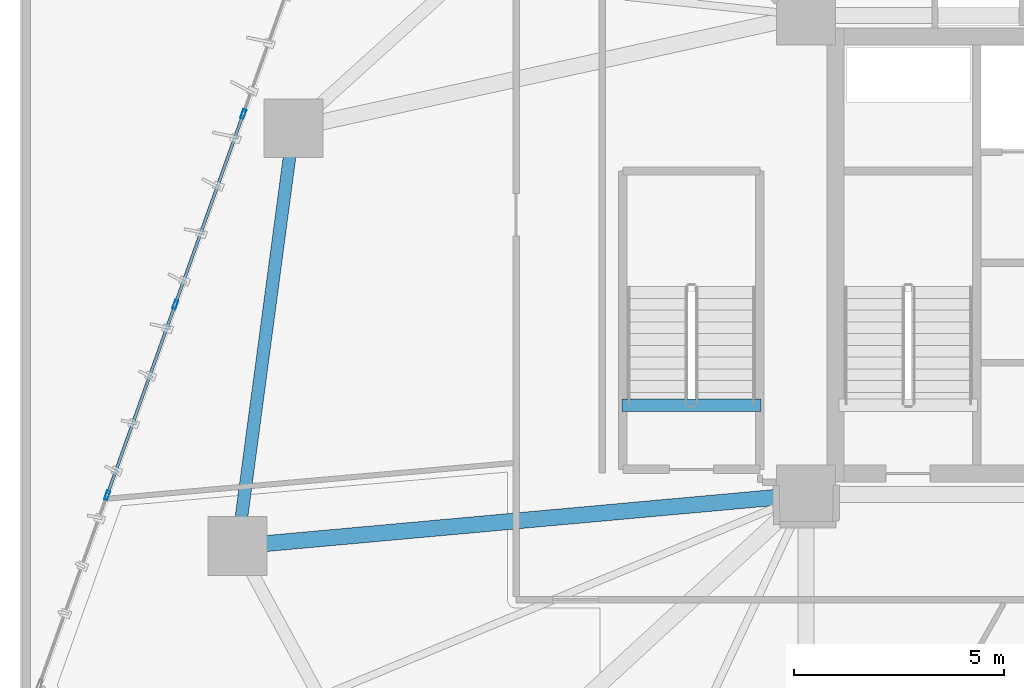
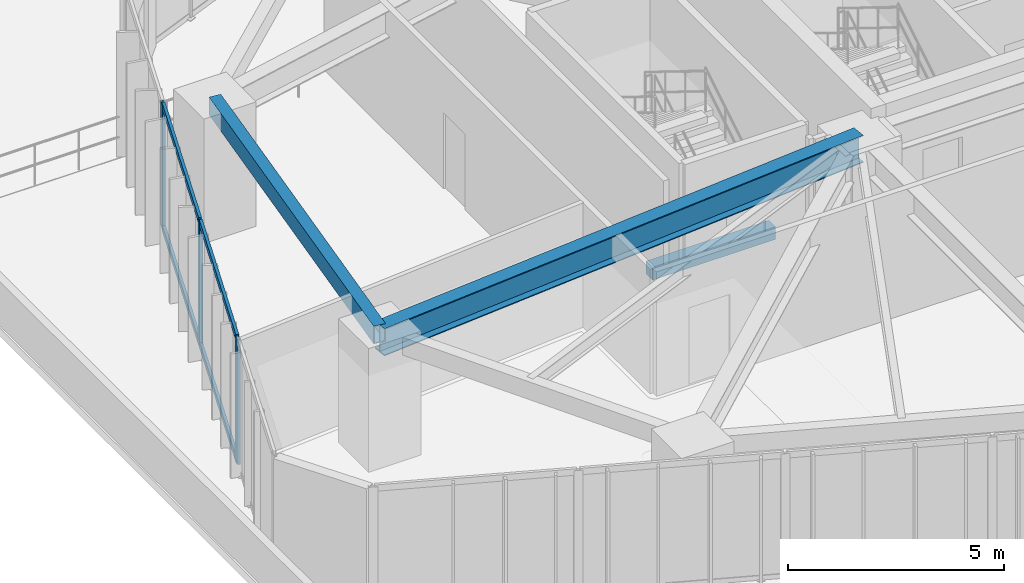
# One storey, part 6 of 23: 7 members, 3 beams, 1 element without a shape of its own.
"""IFC4 building model written with IfcOpenShell, lengths in metres."""

from ifc_helpers import new_model, si_unit, direction, frame, origin, origin_2d, place, context, subcontext, project, spatial, rectangle, hollow_rectangle, i_section, extrude, source, transform, mapped, material, layer, layer_set, material_profile, profile_set, type_object, type_shapes, element, aggregate, save


model = new_model("IFC4")

# Units and contexts
model_context = context("Model", 3, precision=1e-05, world=origin(), true_north=direction((0.0, 1.0)))
body_context = subcontext(model_context, "Body", "Model", "MODEL_VIEW")
ifc_project = project(units=[si_unit("LENGTHUNIT", "METRE"), si_unit("AREAUNIT", "SQUARE_METRE"), si_unit("VOLUMEUNIT", "CUBIC_METRE"), si_unit("PLANEANGLEUNIT", "RADIAN"), si_unit("MASSUNIT", "GRAM", prefix="KILO")], contexts=[model_context])

# Site, building, storey
site_placement = place(None, origin())
site = spatial("IfcSite", under=ifc_project, at=site_placement, CompositionType="ELEMENT")
building_placement = place(site_placement, origin())
building = spatial("IfcBuilding", under=site, at=building_placement, Name="Talar Marvaseh", CompositionType="ELEMENT")
storey_placement = place(building_placement, frame((0.0, 0.0, 24.0)))
storey = spatial("IfcBuildingStorey", under=building, at=storey_placement, Name="L05", CompositionType="ELEMENT", Elevation=24.0)

# Beams
ifc_material_1 = material(Name="Concrete C40/50", Category="concrete")
ifc_material_profile_1 = material_profile(ifc_material_1, rectangle(XDim=0.300048828125, YDim=0.360107421875, at=origin_2d()), Name="RC300x360")
ifc_profile_set_1 = profile_set([ifc_material_profile_1], Name="Concrete C40/50")
beam_type_1 = type_object("IfcBeamType", Name="Concrete Stair Landing Trimmer Beam RC300x360", PredefinedType="SPANDREL", material=ifc_profile_set_1)
beam_1_placement = place(storey_placement, frame((17.6201171875, 27.6298828125, -0.179931640625), z_axis=(-1.0, 0.0, 0.0), x_axis=(0.0, -1.0, 0.0)))
element("IfcBeam", 1, at=beam_1_placement, inside=storey, type_object=beam_type_1, Name="L05 ST-3 Stair Nosing Trimmer Beam", PredefinedType="SPANDREL", context=body_context, shape_type="SweptSolid", body=[
    extrude(rectangle(XDim=0.300048828125, YDim=0.360107421875, at=origin_2d()), origin(), (0.0, 0.0, 1.0), 3.300048828125),
])
ifc_material_2 = material(Name="Steel S355", Category="steel")
ifc_material_profile_2 = material_profile(ifc_material_2, hollow_rectangle(XDim=0.300048828125, YDim=0.5, WallThickness=0.02001953125, at=origin_2d()), Name="RHS500x300x20")
ifc_profile_set_2 = profile_set([ifc_material_profile_2], Name="Steel S355")
beam_type_2 = type_object("IfcBeamType", Name="Zone 1 Perimeter Spandrel Beam RHS500x300x20", PredefinedType="SPANDREL", material=ifc_profile_set_2)
beam_2_placement = place(storey_placement, frame((5.175048828125, 24.27587890625, 3.27001953125), z_axis=(0.132340758564, 0.991204279461, 0.0), x_axis=(-0.991204279461, 0.132340758564, 0.0)))
element("IfcBeam", 2, at=beam_2_placement, inside=storey, type_object=beam_type_2, Name="L05 Zone 1 Perimeter Spandrel Beam RHS500x300x20", PredefinedType="SPANDREL", context=body_context, shape_type="SweptSolid", body=[
    extrude(hollow_rectangle(XDim=0.300048828125, YDim=0.5, WallThickness=0.02001953125, at=origin_2d()), origin(), (0.0, 0.0, 1.0), 10.0263671875),
])
ifc_material_profile_3 = material_profile(ifc_material_2, i_section(OverallWidth=0.381103515625, OverallDepth=0.77294921875, WebThickness=0.0166015625, FlangeThickness=0.027099609375, at=origin_2d()), Name="W760x257")
ifc_profile_set_3 = profile_set([ifc_material_profile_3], Name="Steel S355")
beam_type_3 = type_object("IfcBeamType", Name="Zone 1 Radial Floor Girder W760x257", PredefinedType="BEAM", material=ifc_profile_set_3)
beam_3_placement = place(storey_placement, frame((5.175048828125, 24.27587890625, 3.133544921875), z_axis=(0.995929083348, 0.090140229321, 0.0), x_axis=(-0.090140229321, 0.995929083348, 0.0)))
element("IfcBeam", 3, at=beam_3_placement, inside=storey, type_object=beam_type_3, Name="L05 Zone 1 Radial Floor Girder W760x257", PredefinedType="BEAM", context=body_context, shape_type="SweptSolid", body=[
    extrude(i_section(OverallWidth=0.381103515625, OverallDepth=0.77294921875, WebThickness=0.0166015625, FlangeThickness=0.027099609375, at=origin_2d()), origin(), (0.0, 0.0, 1.0), 13.580078125),
])

# Curtain wall, members
ifc_material_3 = material(Name="Architectural Aluminium", Category="aluminium")
ifc_layer = layer(ifc_material_3, 0.219970703125)
ifc_layer_set = layer_set([ifc_layer], Name="Architectural Aluminium")
curtain_wall_type = type_object("IfcCurtainWallType", Name="Unitised Low-E Museum Curtain Wall Z1", PredefinedType="NOTDEFINED", material=ifc_layer_set)
curtain_wall_placement = place(storey_placement, origin())
curtain_wall = element("IfcCurtainWall", 4, at=curtain_wall_placement, inside=storey, type_object=curtain_wall_type, Name="L05 Unitised Low-E Museum Curtain Wall Z1", PredefinedType="NOTDEFINED")
ifc_material_profile_4 = material_profile(ifc_material_3, hollow_rectangle(XDim=0.080078125, YDim=0.219970703125, WallThickness=0.0048828125, at=origin_2d()), Name="RHS220x80x5")
ifc_profile_set_4 = profile_set([ifc_material_profile_4], Name="Architectural Aluminium")
member_type_1 = type_object("IfcMemberType", Name="Unitised Curtain Wall Heavy Mullion RHS220x80x5", PredefinedType="MULLION", material=ifc_profile_set_4)
shared_shape_1 = source(origin(), body_context, "Body", "SweptSolid", [
    extrude(hollow_rectangle(XDim=0.080078125, YDim=0.219970703125, WallThickness=0.0048828125, at=origin_2d()), origin(), (0.0, 0.0, 1.0), 3.52001953125),
])
type_shapes(member_type_1, [shared_shape_1])
member_1_placement = place(storey_placement, frame((2.073486328125, 25.484130859375, 0.0), z_axis=(0.0, 0.0, 1.0), x_axis=(-0.941741911595, 0.336336396997, 0.0)))
member_1 = element("IfcMember", 5, at=member_1_placement, type_object=member_type_1, Name="CW-Z1 mullion 2", PredefinedType="MULLION", context=body_context, shape_type="MappedRepresentation", body=[
    mapped(shared_shape_1, transform((0.0, 0.0, 0.0), x_axis=(1.0, 0.0, 0.0), y_axis=(0.0, 1.0, 0.0), z_axis=(0.0, 0.0, 1.0), scale=1.0)),
])
member_2_placement = place(storey_placement, frame((3.693603515625, 30.020263671875, 0.0), z_axis=(0.0, 0.0, 1.0), x_axis=(-0.941741911595, 0.336336396997, 0.0)))
member_2 = element("IfcMember", 6, at=member_2_placement, type_object=member_type_1, Name="CW-Z1 mullion 3", PredefinedType="MULLION", context=body_context, shape_type="MappedRepresentation", body=[
    mapped(shared_shape_1, transform((0.0, 0.0, 0.0), x_axis=(1.0, 0.0, 0.0), y_axis=(0.0, 1.0, 0.0), z_axis=(0.0, 0.0, 1.0), scale=1.0)),
])
member_3_placement = place(storey_placement, frame((5.3134765625, 34.55615234375, 0.0), z_axis=(0.0, 0.0, 1.0), x_axis=(-0.941741911595, 0.336336396997, 0.0)))
member_3 = element("IfcMember", 7, at=member_3_placement, type_object=member_type_1, Name="CW-Z1 mullion 4", PredefinedType="MULLION", context=body_context, shape_type="MappedRepresentation", body=[
    mapped(shared_shape_1, transform((0.0, 0.0, 0.0), x_axis=(1.0, 0.0, 0.0), y_axis=(0.0, 1.0, 0.0), z_axis=(0.0, 0.0, 1.0), scale=1.0)),
])
ifc_material_profile_5 = material_profile(ifc_material_3, hollow_rectangle(XDim=0.074951171875, YDim=0.179931640625, WallThickness=0.0048828125, at=origin_2d()), Name="RHS180x75x5")
ifc_profile_set_5 = profile_set([ifc_material_profile_5], Name="Architectural Aluminium")
member_type_2 = type_object("IfcMemberType", Name="Unitised Curtain Wall Transom RHS180x75x5", PredefinedType="USERDEFINED", material=ifc_profile_set_5)
shared_shape_2 = source(origin(), body_context, "Body", "SweptSolid", [
    extrude(hollow_rectangle(XDim=0.074951171875, YDim=0.179931640625, WallThickness=0.0048828125, at=origin_2d()), origin(), (0.0, 0.0, 1.0), 4.736328125),
])
member_4_placement = place(storey_placement, frame((2.0869140625, 25.52197265625, 0.03759765625), z_axis=(0.336336396998, 0.941741911595, 0.0), x_axis=(-0.941741911595, 0.336336396998, 0.0)))
member_4 = element("IfcMember", 8, at=member_4_placement, type_object=member_type_2, Name="CW-Z1 transom 2.1", ObjectType="TRANSOM", PredefinedType="USERDEFINED", context=body_context, shape_type="MappedRepresentation", body=[
    mapped(shared_shape_2, transform((0.0, 0.0, 0.0), x_axis=(1.0, 0.0, 0.0), y_axis=(0.0, 1.0, 0.0), z_axis=(0.0, 0.0, 1.0), scale=1.0)),
])
member_5_placement = place(storey_placement, frame((2.0869140625, 25.52197265625, 3.482421875), z_axis=(0.336336396998, 0.941741911595, 0.0), x_axis=(-0.941741911595, 0.336336396998, 0.0)))
member_5 = element("IfcMember", 9, at=member_5_placement, type_object=member_type_2, Name="CW-Z1 transom 2.2", ObjectType="TRANSOM", PredefinedType="USERDEFINED", context=body_context, shape_type="MappedRepresentation", body=[
    mapped(shared_shape_2, transform((0.0, 0.0, 0.0), x_axis=(1.0, 0.0, 0.0), y_axis=(0.0, 1.0, 0.0), z_axis=(0.0, 0.0, 1.0), scale=1.0)),
])
shared_shape_3 = source(origin(), body_context, "Body", "SweptSolid", [
    extrude(hollow_rectangle(XDim=0.074951171875, YDim=0.179931640625, WallThickness=0.0048828125, at=origin_2d()), origin(), (0.0, 0.0, 1.0), 4.736572265625),
])
type_shapes(member_type_2, [shared_shape_2, shared_shape_3])
member_6_placement = place(storey_placement, frame((3.70703125, 30.057861328125, 0.03759765625), z_axis=(0.336320071014, 0.941747742144, 0.0), x_axis=(-0.941747742144, 0.336320071014, 0.0)))
member_6 = element("IfcMember", 10, at=member_6_placement, type_object=member_type_2, Name="CW-Z1 transom 3.1", ObjectType="TRANSOM", PredefinedType="USERDEFINED", context=body_context, shape_type="MappedRepresentation", body=[
    mapped(shared_shape_3, transform((0.0, 0.0, 0.0), x_axis=(1.0, 0.0, 0.0), y_axis=(0.0, 1.0, 0.0), z_axis=(0.0, 0.0, 1.0), scale=1.0)),
])
member_7_placement = place(storey_placement, frame((3.70703125, 30.057861328125, 3.482421875), z_axis=(0.336320071014, 0.941747742144, 0.0), x_axis=(-0.941747742144, 0.336320071014, 0.0)))
member_7 = element("IfcMember", 11, at=member_7_placement, type_object=member_type_2, Name="CW-Z1 transom 3.2", ObjectType="TRANSOM", PredefinedType="USERDEFINED", context=body_context, shape_type="MappedRepresentation", body=[
    mapped(shared_shape_3, transform((0.0, 0.0, 0.0), x_axis=(1.0, 0.0, 0.0), y_axis=(0.0, 1.0, 0.0), z_axis=(0.0, 0.0, 1.0), scale=1.0)),
])
aggregate(curtain_wall, [member_1, member_2, member_3, member_4, member_5, member_6, member_7])

save(model, "model.ifc")
